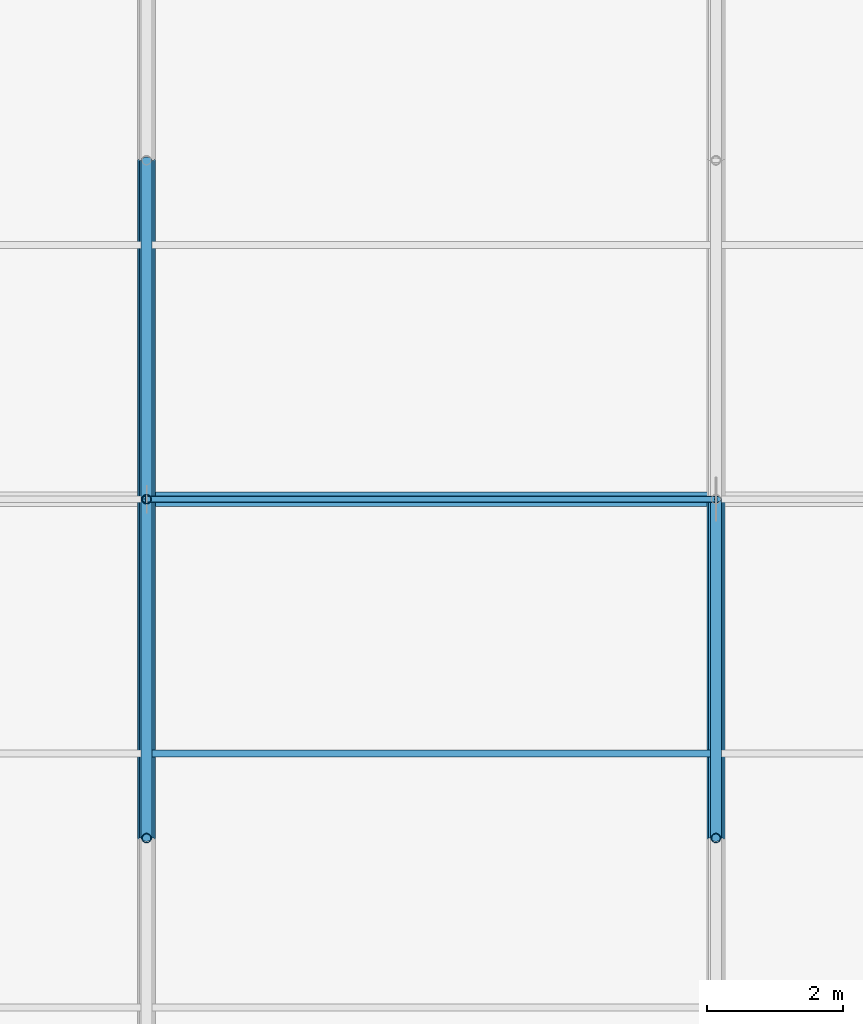
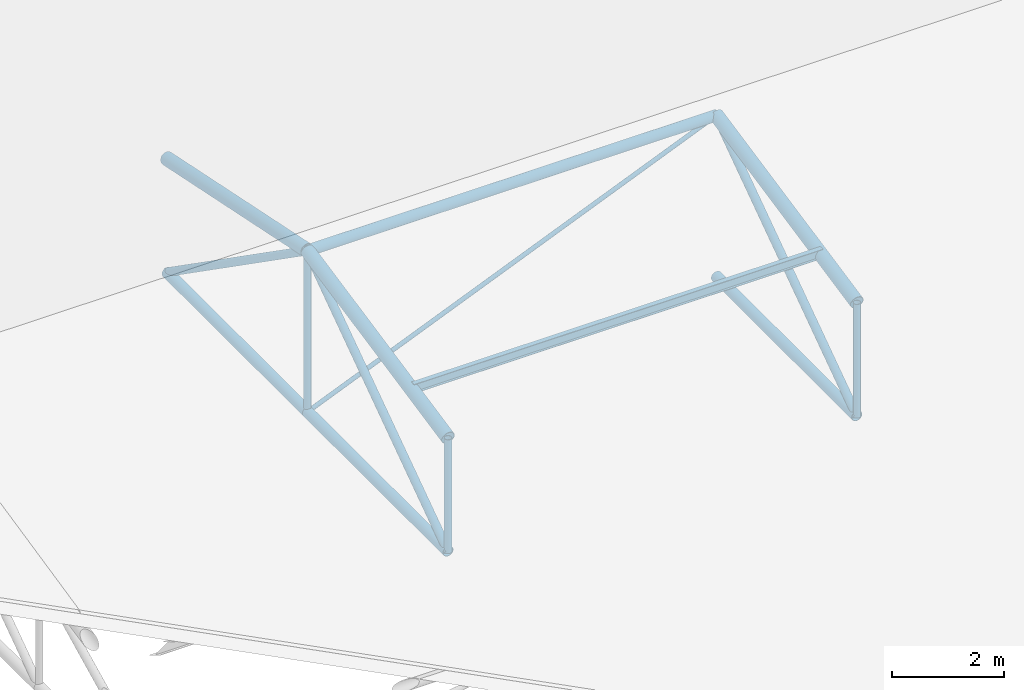
# One storey, part 86 of 194: 14 members, 1 beam.
"""IFC4 building model written with IfcOpenShell, lengths in metres."""

from ifc_helpers import new_model, si_unit, direction, frame, origin, origin_2d, place, context, subcontext, project, spatial, hollow_circle, i_section, extrude, material, material_profile, profile_set, type_object, element, save


model = new_model("IFC4")

# Units and contexts
model_context = context("Model", 3, precision=1e-05, world=origin(), true_north=direction((0.0, 1.0)))
body_context = subcontext(model_context, "Body", "Model", "MODEL_VIEW")
ifc_project = project(units=[si_unit("LENGTHUNIT", "METRE"), si_unit("AREAUNIT", "SQUARE_METRE"), si_unit("VOLUMEUNIT", "CUBIC_METRE"), si_unit("PLANEANGLEUNIT", "RADIAN"), si_unit("MASSUNIT", "GRAM", prefix="KILO")], contexts=[model_context])

# Site, building, storey
site_placement = place(None, origin())
site = spatial("IfcSite", under=ifc_project, at=site_placement, CompositionType="ELEMENT")
building_placement = place(site_placement, origin())
building = spatial("IfcBuilding", under=site, at=building_placement, Name="Kazenagashi Tramway Depot", CompositionType="ELEMENT")
storey_placement = place(building_placement, frame((0.0, 0.0, 23.7)))
storey = spatial("IfcBuildingStorey", under=building, at=storey_placement, Name="ROOF", CompositionType="ELEMENT", Elevation=23.7)

# Beam
ifc_material_1 = material(Name="Steel SN400B", Category="steel")
ifc_material_profile_1 = material_profile(ifc_material_1, i_section(OverallWidth=0.1, OverallDepth=0.2, WebThickness=0.0055, FlangeThickness=0.008, at=origin_2d()), Name="H-200x100x5.5x8")
ifc_profile_set_1 = profile_set([ifc_material_profile_1], Name="Steel SN400B")
beam_type = type_object("IfcBeamType", Name="PR-01", PredefinedType="USERDEFINED", material=ifc_profile_set_1)
beam_placement = place(storey_placement, frame((179.2, 81.25, -11.305), z_axis=(1.0, 0.0, 0.0), x_axis=(0.0, 1.0, 0.0)))
element("IfcBeam", 1, at=beam_placement, inside=storey, type_object=beam_type, Name="Beam PR-01 BM-2070", ObjectType="PURLIN", PredefinedType="USERDEFINED", context=body_context, shape_type="SweptSolid", body=[
    extrude(i_section(OverallWidth=0.1, OverallDepth=0.2, WebThickness=0.0055, FlangeThickness=0.008, at=origin_2d()), origin(), (0.0, 0.0, 1.0), 8.4),
])

# Members
ifc_material_2 = material(Name="Steel STK490", Category="steel")
ifc_material_profile_2 = material_profile(ifc_material_2, hollow_circle(Radius=0.1337, WallThickness=0.0093, at=origin_2d()), Name="CHS-267.4x9.3")
ifc_profile_set_2 = profile_set([ifc_material_profile_2], Name="Steel STK490")
member_type_1 = type_object("IfcMemberType", Name="TC-01", PredefinedType="CHORD", material=ifc_profile_set_2)
for number, where, z_axis, x_axis, name in (
    (2, (179.2, 80.0, -11.633), (0.0, 0.979317999984, 0.202327098797), (-1.0, 0.0, 0.0), "Tubular Space Frame TC-01 MEM-0983"),
    (3, (179.2, 85.0, -10.6), (0.0, 0.979317999984, -0.202327098797), (-1.0, 0.0, 0.0), "Tubular Space Frame TC-01 MEM-0986"),
    (4, (187.6, 80.0, -11.633), (0.0, 0.979317999984, 0.202327098797), (-1.0, 0.0, 0.0), "Tubular Space Frame TC-01 MEM-1044"),
):
    element("IfcMember", number, at=place(storey_placement, frame(where, z_axis=z_axis, x_axis=x_axis)), inside=storey, type_object=member_type_1, Name=name, PredefinedType="CHORD", context=body_context, shape_type="SweptSolid", body=[
        extrude(hollow_circle(Radius=0.1337, WallThickness=0.0093, at=origin_2d()), origin(), (0.0, 0.0, 1.0), 5.105594),
    ])
ifc_material_profile_3 = material_profile(ifc_material_2, hollow_circle(Radius=0.10815, WallThickness=0.0082, at=origin_2d()), Name="CHS-216.3x8.2")
ifc_profile_set_3 = profile_set([ifc_material_profile_3], Name="Steel STK490")
member_type_2 = type_object("IfcMemberType", Name="TC-02", PredefinedType="CHORD", material=ifc_profile_set_3)
for number, where, z_axis, x_axis, name in (
    (5, (179.2, 80.0, -14.1), (0.0, 1.0, 0.0), (-1.0, 0.0, 0.0), "Tubular Space Frame TC-02 MEM-0984"),
    (6, (179.2, 85.0, -14.1), (0.0, 1.0, 0.0), (-1.0, 0.0, 0.0), "Tubular Space Frame TC-02 MEM-0987"),
):
    element("IfcMember", number, at=place(storey_placement, frame(where, z_axis=z_axis, x_axis=x_axis)), inside=storey, type_object=member_type_2, Name=name, PredefinedType="CHORD", context=body_context, shape_type="SweptSolid", body=[
        extrude(hollow_circle(Radius=0.10815, WallThickness=0.0082, at=origin_2d()), origin(), (0.0, 0.0, 1.0), 5.0),
    ])
member_1_placement = place(storey_placement, frame((179.2, 85.0, -10.6), z_axis=(1.0, 0.0, 0.0), x_axis=(0.0, 1.0, 0.0)))
element("IfcMember", 7, at=member_1_placement, inside=storey, type_object=member_type_2, Name="Tubular Space Frame TC-02 MEM-1004", PredefinedType="CHORD", context=body_context, shape_type="SweptSolid", body=[
    extrude(hollow_circle(Radius=0.10815, WallThickness=0.0082, at=origin_2d()), origin(), (0.0, 0.0, 1.0), 8.4),
])
member_2_placement = place(storey_placement, frame((187.6, 80.0, -14.1), z_axis=(0.0, 1.0, 0.0), x_axis=(-1.0, 0.0, 0.0)))
element("IfcMember", 8, at=member_2_placement, inside=storey, type_object=member_type_2, Name="Tubular Space Frame TC-02 MEM-1045", PredefinedType="CHORD", context=body_context, shape_type="SweptSolid", body=[
    extrude(hollow_circle(Radius=0.10815, WallThickness=0.0082, at=origin_2d()), origin(), (0.0, 0.0, 1.0), 5.0),
])
ifc_material_profile_4 = material_profile(ifc_material_2, hollow_circle(Radius=0.0826, WallThickness=0.0071, at=origin_2d()), Name="CHS-165.2x7.1")
ifc_profile_set_4 = profile_set([ifc_material_profile_4], Name="Steel STK490")
member_type_3 = type_object("IfcMemberType", Name="TS-01", PredefinedType="STRUT", material=ifc_profile_set_4)
for number, where, z_axis, x_axis, name in (
    (9, (179.2, 80.0, -14.1), (0.0, 0.819231920519, 0.573462344363), (-1.0, 0.0, 0.0), "Tubular Space Frame TS-01 MEM-0985"),
    (10, (179.2, 85.0, -10.6), (0.0, 0.819231920519, -0.573462344363), (-1.0, 0.0, 0.0), "Tubular Space Frame TS-01 MEM-0988"),
    (11, (187.6, 80.0, -14.1), (0.0, 0.819231920519, 0.573462344363), (-1.0, 0.0, 0.0), "Tubular Space Frame TS-01 MEM-1046"),
):
    element("IfcMember", number, at=place(storey_placement, frame(where, z_axis=z_axis, x_axis=x_axis)), inside=storey, type_object=member_type_3, Name=name, PredefinedType="STRUT", context=body_context, shape_type="SweptSolid", body=[
        extrude(hollow_circle(Radius=0.0826, WallThickness=0.0071, at=origin_2d()), origin(), (0.0, 0.0, 1.0), 6.103278),
    ])
ifc_material_profile_5 = material_profile(ifc_material_2, hollow_circle(Radius=0.0699, WallThickness=0.0066, at=origin_2d()), Name="CHS-139.8x6.6")
ifc_profile_set_5 = profile_set([ifc_material_profile_5], Name="Steel STK490")
member_type_4 = type_object("IfcMemberType", Name="TS-02", PredefinedType="STRUT", material=ifc_profile_set_5)
member_3_placement = place(storey_placement, frame((179.2, 80.0, -14.1), z_axis=(0.0, 0.0, 1.0), x_axis=(1.0, 0.0, 0.0)))
element("IfcMember", 12, at=member_3_placement, inside=storey, type_object=member_type_4, Name="Tubular Space Frame TS-02 MEM-0997", PredefinedType="STRUT", context=body_context, shape_type="SweptSolid", body=[
    extrude(hollow_circle(Radius=0.0699, WallThickness=0.0066, at=origin_2d()), origin(), (0.0, 0.0, 1.0), 2.467),
])
member_4_placement = place(storey_placement, frame((179.2, 85.0, -14.1), z_axis=(0.0, 0.0, 1.0), x_axis=(1.0, 0.0, 0.0)))
element("IfcMember", 13, at=member_4_placement, inside=storey, type_object=member_type_4, Name="Tubular Space Frame TS-02 MEM-0998", PredefinedType="STRUT", context=body_context, shape_type="SweptSolid", body=[
    extrude(hollow_circle(Radius=0.0699, WallThickness=0.0066, at=origin_2d()), origin(), (0.0, 0.0, 1.0), 3.5),
])
member_5_placement = place(storey_placement, frame((187.6, 80.0, -14.1), z_axis=(0.0, 0.0, 1.0), x_axis=(1.0, 0.0, 0.0)))
element("IfcMember", 14, at=member_5_placement, inside=storey, type_object=member_type_4, Name="Tubular Space Frame TS-02 MEM-1058", PredefinedType="STRUT", context=body_context, shape_type="SweptSolid", body=[
    extrude(hollow_circle(Radius=0.0699, WallThickness=0.0066, at=origin_2d()), origin(), (0.0, 0.0, 1.0), 2.467),
])
ifc_material_3 = material(Name="Steel STK400", Category="steel")
ifc_material_profile_6 = material_profile(ifc_material_3, hollow_circle(Radius=0.04455, WallThickness=0.0042, at=origin_2d()), Name="CHS-89.1x4.2")
ifc_profile_set_6 = profile_set([ifc_material_profile_6], Name="Steel STK400")
member_type_5 = type_object("IfcMemberType", Name="TS-04", PredefinedType="STRUT", material=ifc_profile_set_6)
member_6_placement = place(storey_placement, frame((179.2, 85.0, -14.1), z_axis=(0.923076923077, 0.0, 0.384615384615), x_axis=(0.0, 1.0, 0.0)))
element("IfcMember", 15, at=member_6_placement, inside=storey, type_object=member_type_5, Name="Tubular Space Frame TS-04 MEM-1005", PredefinedType="STRUT", context=body_context, shape_type="SweptSolid", body=[
    extrude(hollow_circle(Radius=0.04455, WallThickness=0.0042, at=origin_2d()), origin(), (0.0, 0.0, 1.0), 9.1),
])

save(model, "model.ifc")
